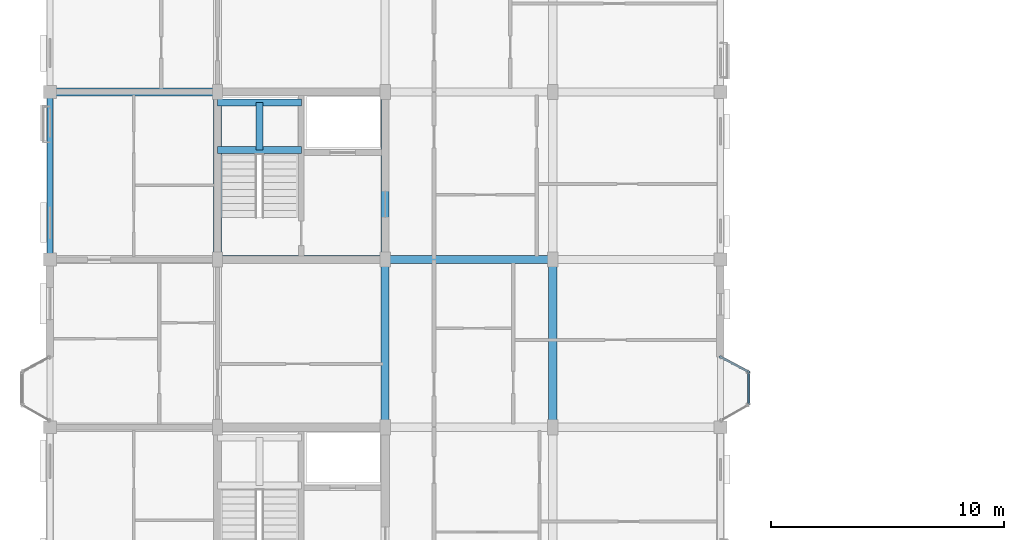
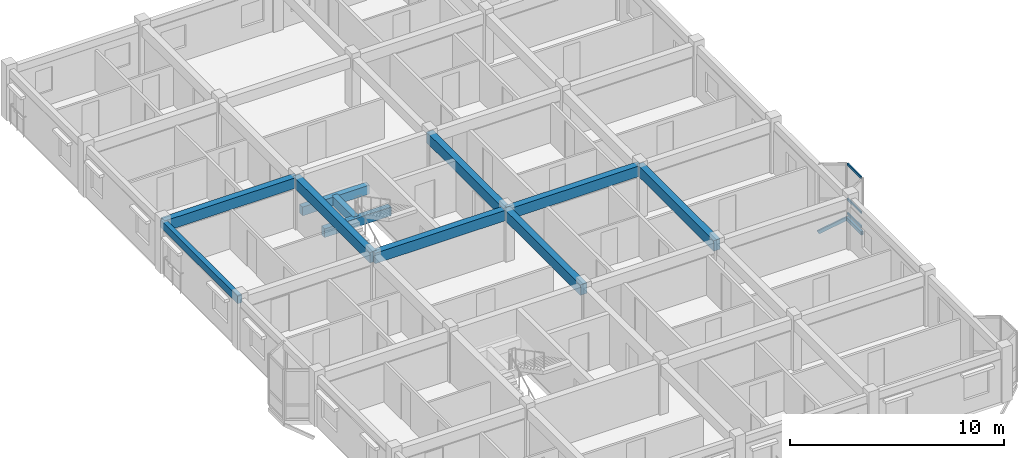
# One storey, part 10 of 75: 11 beams, 5 members, 1 element without a shape of its own.
"""IFC4 building model written with IfcOpenShell, lengths in metres."""

from ifc_helpers import new_model, si_unit, direction, frame, origin, origin_2d, place, context, subcontext, project, spatial, rectangle, hollow_rectangle, extrude, material, layer, layer_set, material_profile, profile_set, type_object, element, aggregate, save


model = new_model("IFC4")

# Units and contexts
model_context = context("Model", 3, precision=1e-05, world=origin(), true_north=direction((0.0, 1.0)))
body_context = subcontext(model_context, "Body", "Model", "MODEL_VIEW")
ifc_project = project(units=[si_unit("LENGTHUNIT", "METRE"), si_unit("AREAUNIT", "SQUARE_METRE"), si_unit("VOLUMEUNIT", "CUBIC_METRE"), si_unit("PLANEANGLEUNIT", "RADIAN"), si_unit("MASSUNIT", "GRAM", prefix="KILO"), si_unit("THERMODYNAMICTEMPERATUREUNIT", "KELVIN"), si_unit("POWERUNIT", "WATT")], contexts=[model_context])

# Site, building, storey
site_placement = place(None, origin())
site = spatial("IfcSite", under=ifc_project, at=site_placement, CompositionType="ELEMENT")
building_placement = place(site_placement, origin())
building = spatial("IfcBuilding", under=site, at=building_placement, Name="Tavuni Mirador Residences", CompositionType="ELEMENT")
storey_placement = place(building_placement, frame((0.0, 0.0, 20.25)))
storey = spatial("IfcBuildingStorey", under=building, at=storey_placement, Name="L06", CompositionType="ELEMENT", Elevation=20.25)

# Beams
ifc_material_1 = material(Name="Precast concrete C40/50", Category="concrete")
ifc_material_profile_1 = material_profile(ifc_material_1, rectangle(XDim=0.300048828125, YDim=0.5, at=origin_2d()), Name="PC 300x500", Category="concrete")
ifc_profile_set_1 = profile_set([ifc_material_profile_1], Name="Precast concrete C40/50")
beam_type_1 = type_object("IfcBeamType", Name="BT-B500", PredefinedType="BEAM", material=ifc_profile_set_1)
for number, where, z_axis, x_axis, name in (
    (1, (10.800048828125, 33.5, 1.14501953125), (1.0, 0.0, 0.0), (0.0, 1.0, 0.0), "HLB1-C2-L06"),
    (2, (10.800048828125, 35.550048828125, 1.14501953125), (1.0, 0.0, 0.0), (0.0, 1.0, 0.0), "HLB2-C2-L06"),
):
    element("IfcBeam", number, at=place(storey_placement, frame(where, z_axis=z_axis, x_axis=x_axis)), inside=storey, type_object=beam_type_1, Name=name, PredefinedType="BEAM", context=body_context, shape_type="SweptSolid", body=[
        extrude(rectangle(XDim=0.300048828125, YDim=0.5, at=origin_2d()), origin(), (0.0, 0.0, 1.0), 3.599853515625),
    ])
beam_1_placement = place(storey_placement, frame((12.60009765625, 33.5, 1.14501953125), z_axis=(0.0, 1.0, 0.0), x_axis=(-1.0, 0.0, 0.0)))
element("IfcBeam", 3, at=beam_1_placement, inside=storey, type_object=beam_type_1, Name="HLB3-C2-L06", PredefinedType="BEAM", context=body_context, shape_type="SweptSolid", body=[
    extrude(rectangle(XDim=0.300048828125, YDim=0.5, at=origin_2d()), origin(), (0.0, 0.0, 1.0), 2.050048828125),
])
ifc_material_profile_2 = material_profile(ifc_material_1, rectangle(XDim=0.35009765625, YDim=0.60009765625, at=origin_2d()), Name="PC 350x600", Category="concrete")
ifc_profile_set_2 = profile_set([ifc_material_profile_2], Name="Precast concrete C40/50")
beam_type_2 = type_object("IfcBeamType", Name="BT-B600", PredefinedType="BEAM", material=ifc_profile_set_2)
for number, where, z_axis, x_axis, name in (
    (4, (10.800048828125, 28.800048828125, 2.570068359375), (1.0, 0.0, 0.0), (0.0, 1.0, 0.0), "BMX-BLK-A-L06-01-03"),
    (5, (18.0, 28.800048828125, 2.570068359375), (1.0, 0.0, 0.0), (0.0, 1.0, 0.0), "BMX-BLK-A-L06-02-03"),
    (6, (3.60009765625, 36.0, 2.570068359375), (1.0, 0.0, 0.0), (0.0, 1.0, 0.0), "BMX-BLK-A-L06-00-04"),
    (7, (10.800048828125, 28.800048828125, 2.570068359375), (0.0, 1.0, 0.0), (-1.0, 0.0, 0.0), "BMY-BLK-A-L06-01-03"),
    (8, (18.0, 21.60009765625, 2.570068359375), (0.0, 1.0, 0.0), (-1.0, 0.0, 0.0), "BMY-BLK-A-L06-02-02"),
    (9, (18.0, 28.800048828125, 2.570068359375), (0.0, 1.0, 0.0), (-1.0, 0.0, 0.0), "BMY-BLK-A-L06-02-03"),
    (10, (25.199951171875, 21.60009765625, 2.570068359375), (0.0, 1.0, 0.0), (-1.0, 0.0, 0.0), "BMY-BLK-A-L06-03-02"),
):
    element("IfcBeam", number, at=place(storey_placement, frame(where, z_axis=z_axis, x_axis=x_axis)), inside=storey, type_object=beam_type_2, Name=name, PredefinedType="BEAM", context=body_context, shape_type="SweptSolid", body=[
        extrude(rectangle(XDim=0.35009765625, YDim=0.60009765625, at=origin_2d()), origin(), (0.0, 0.0, 1.0), 7.199951171875),
    ])
ifc_material_profile_3 = material_profile(ifc_material_1, rectangle(XDim=0.25, YDim=0.419921875, at=origin_2d()), Name="PC 250x420", Category="concrete")
ifc_profile_set_3 = profile_set([ifc_material_profile_3], Name="Precast concrete C40/50")
beam_type_3 = type_object("IfcBeamType", Name="BT-SP420", PredefinedType="SPANDREL", material=ifc_profile_set_3)
beam_2_placement = place(storey_placement, frame((3.60009765625, 28.800048828125, 2.659912109375), z_axis=(0.0, 1.0, 0.0), x_axis=(-1.0, 0.0, 0.0)))
element("IfcBeam", 11, at=beam_2_placement, inside=storey, type_object=beam_type_3, Name="BMY-BLK-A-L06-00-03", PredefinedType="SPANDREL", context=body_context, shape_type="SweptSolid", body=[
    extrude(rectangle(XDim=0.25, YDim=0.419921875, at=origin_2d()), origin(), (0.0, 0.0, 1.0), 7.199951171875),
])

# Curtain wall, members
ifc_material_2 = material(Name="Anodised aluminium", Category="aluminium")
ifc_layer = layer(ifc_material_2, 0.14990234375, Name="Anodised aluminium", Category="aluminium")
ifc_layer_set = layer_set([ifc_layer], Name="Anodised aluminium")
curtain_wall_type = type_object("IfcCurtainWallType", Name="CWT-MIR-B", PredefinedType="NOTDEFINED", material=ifc_layer_set)
curtain_wall_placement = place(storey_placement, origin())
curtain_wall = element("IfcCurtainWall", 12, at=curtain_wall_placement, inside=storey, type_object=curtain_wall_type, Name="CW-MIR-A-E2-L06-MF", PredefinedType="NOTDEFINED")
ifc_material_profile_4 = material_profile(ifc_material_2, hollow_rectangle(XDim=0.06494140625, YDim=0.125, WallThickness=0.00439453125, at=origin_2d()), Name="ALU 65x125x4.5", Category="aluminium")
ifc_profile_set_4 = profile_set([ifc_material_profile_4], Name="Anodised aluminium")
member_type_1 = type_object("IfcMemberType", Name="CWT-125", PredefinedType="USERDEFINED", material=ifc_profile_set_4)
member_1_placement = place(storey_placement, frame((33.60009765625, 22.625, 0.032470703125), z_axis=(0.0, 1.0, 0.0), x_axis=(-1.0, 0.0, 0.0)))
member_1 = element("IfcMember", 13, at=member_1_placement, type_object=member_type_1, Name="CW-02 transom 1.1", ObjectType="TRANSOM", PredefinedType="USERDEFINED", context=body_context, shape_type="SweptSolid", body=[
    extrude(hollow_rectangle(XDim=0.06494140625, YDim=0.125, WallThickness=0.00439453125, at=origin_2d()), origin(), (0.0, 0.0, 1.0), 1.2900390625),
])
member_2_placement = place(storey_placement, frame((33.60009765625, 22.625, 0.85009765625), z_axis=(0.0, 1.0, 0.0), x_axis=(-1.0, 0.0, 0.0)))
member_2 = element("IfcMember", 14, at=member_2_placement, type_object=member_type_1, Name="CW-02 transom 1.2", ObjectType="TRANSOM", PredefinedType="USERDEFINED", context=body_context, shape_type="SweptSolid", body=[
    extrude(hollow_rectangle(XDim=0.06494140625, YDim=0.125, WallThickness=0.00439453125, at=origin_2d()), origin(), (0.0, 0.0, 1.0), 1.2900390625),
])
member_3_placement = place(storey_placement, frame((33.60009765625, 22.625, 2.83740234375), z_axis=(0.0, 1.0, 0.0), x_axis=(-1.0, 0.0, 0.0)))
member_3 = element("IfcMember", 15, at=member_3_placement, type_object=member_type_1, Name="CW-02 transom 1.3", ObjectType="TRANSOM", PredefinedType="USERDEFINED", context=body_context, shape_type="SweptSolid", body=[
    extrude(hollow_rectangle(XDim=0.06494140625, YDim=0.125, WallThickness=0.00439453125, at=origin_2d()), origin(), (0.0, 0.0, 1.0), 1.2900390625),
])
aggregate(curtain_wall, [member_1, member_2, member_3])

# Members
ifc_material_3 = material(Name="Structural steel S355", Category="steel")
ifc_material_profile_5 = material_profile(ifc_material_3, hollow_rectangle(XDim=0.10009765625, YDim=0.179931640625, WallThickness=0.008056640625, at=origin_2d()), Name="RHS 180x100x8.0", Category="steel")
ifc_profile_set_5 = profile_set([ifc_material_profile_5], Name="Structural steel S355")
member_type_2 = type_object("IfcMemberType", Name="MT-BR-RHS180", PredefinedType="BRACE", material=ifc_profile_set_5)
member_4_placement = place(storey_placement, frame((32.39990234375, 24.6201171875, -1.050048828125), z_axis=(0.767847080655, -0.409539268811, 0.492634192918), x_axis=(0.470606866739, 0.882343004153, 0.0)))
element("IfcMember", 16, at=member_4_placement, inside=storey, type_object=member_type_2, Name="MBRK-MIR-A-E2-L06-2", PredefinedType="BRACE", context=body_context, shape_type="SweptSolid", body=[
    extrude(hollow_rectangle(XDim=0.10009765625, YDim=0.179931640625, WallThickness=0.008056640625, at=origin_2d()), origin(), (0.0, 0.0, 1.0), 1.56298828125),
])
ifc_material_profile_6 = material_profile(ifc_material_3, hollow_rectangle(XDim=0.1201171875, YDim=0.199951171875, WallThickness=0.010009765625, at=origin_2d()), Name="RHS 200x120x10.0", Category="steel")
ifc_profile_set_6 = profile_set([ifc_material_profile_6], Name="Structural steel S355")
member_type_3 = type_object("IfcMemberType", Name="MT-ST-RHS200", PredefinedType="STRUT", material=ifc_profile_set_6)
member_5_placement = place(storey_placement, frame((33.60009765625, 22.56005859375, -0.280029296875), z_axis=(0.0, 1.0, 0.0), x_axis=(-1.0, 0.0, 0.0)))
element("IfcMember", 17, at=member_5_placement, inside=storey, type_object=member_type_3, Name="MRIM-MIR-A-E2-L06", PredefinedType="STRUT", context=body_context, shape_type="SweptSolid", body=[
    extrude(hollow_rectangle(XDim=0.1201171875, YDim=0.199951171875, WallThickness=0.010009765625, at=origin_2d()), origin(), (0.0, 0.0, 1.0), 1.419921875),
])

save(model, "model.ifc")
